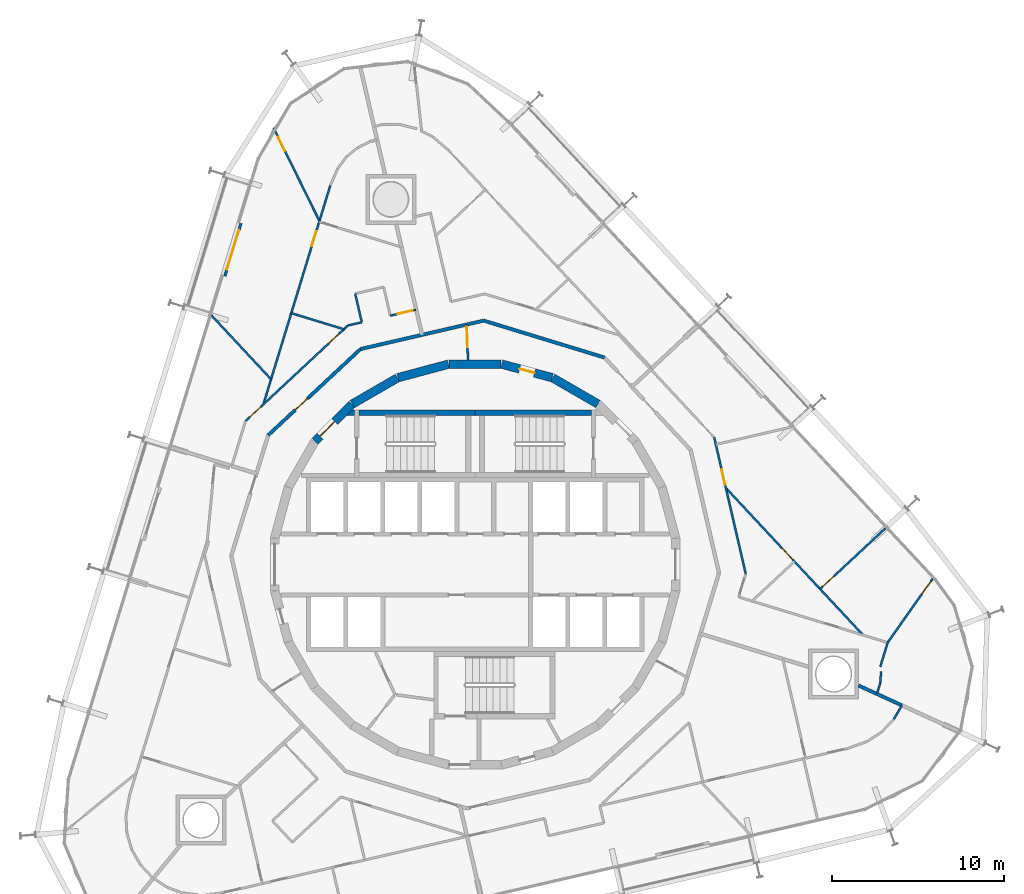
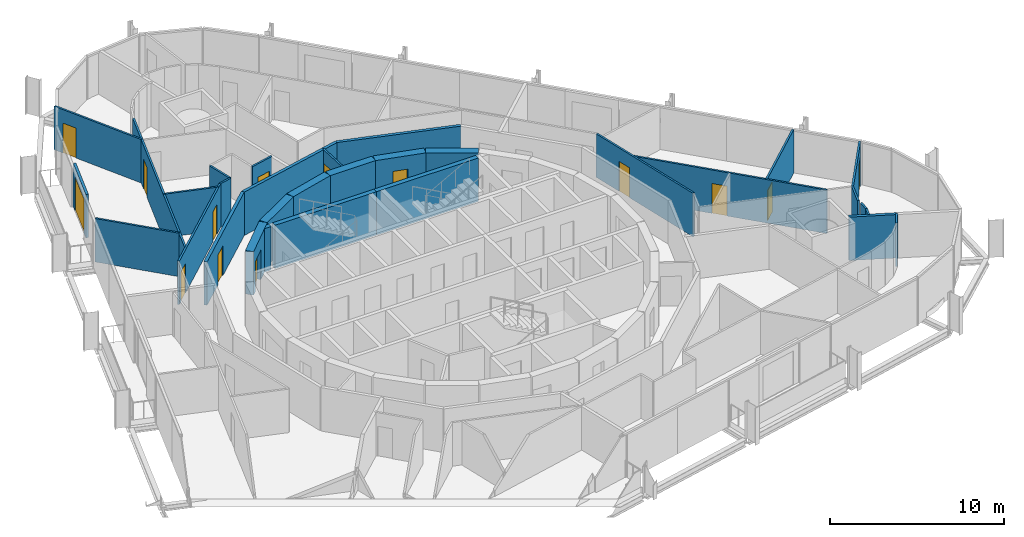
# One storey, part 15 of 18: 31 walls, 14 doors, 14 openings.
"""IFC4 building model written with IfcOpenShell, lengths in metres."""

from ifc_helpers import new_model, si_unit, direction, frame, frame_2d, origin, place, context, subcontext, project, spatial, polyline, rectangle, outline, extrude, material, layer, layer_set, type_object, element, fill, save


model = new_model("IFC4")

# Units and contexts
model_context = context("Model", 3, precision=1e-05, world=origin(), true_north=direction((0.0, 1.0)))
body_context = subcontext(model_context, "Body", "Model", "MODEL_VIEW")
ifc_project = project(units=[si_unit("LENGTHUNIT", "METRE"), si_unit("AREAUNIT", "SQUARE_METRE"), si_unit("VOLUMEUNIT", "CUBIC_METRE"), si_unit("PLANEANGLEUNIT", "RADIAN"), si_unit("MASSUNIT", "GRAM", prefix="KILO")], contexts=[model_context])

# Site, building, storey
site_placement = place(None, origin())
site = spatial("IfcSite", under=ifc_project, at=site_placement, CompositionType="ELEMENT")
building_placement = place(site_placement, origin())
building = spatial("IfcBuilding", under=site, at=building_placement, Name="Spindle Arch Residences", CompositionType="ELEMENT")
storey_placement = place(building_placement, frame((0.0, 0.0, 141.39990234375)))
storey = spatial("IfcBuildingStorey", under=building, at=storey_placement, Name="L35", CompositionType="ELEMENT", Elevation=141.39990234375)

# Wall
ifc_material_1 = material(Name="Concrete C50/60", Category="concrete")
ifc_layer_1 = layer(ifc_material_1, 0.5)
ifc_layer_set_1 = layer_set([ifc_layer_1], Name="Core outline wall 500")
wall_type_1 = type_object("IfcWallType", Name="Core outline wall 500", PredefinedType="SHEAR", material=ifc_layer_set_1)
wall_1_placement = place(storey_placement, frame((7.13671875, 9.32861328125, 0.0), z_axis=(0.0, 0.0, 1.0), x_axis=(-0.865975092491, 0.500087131594, 0.0)))
element("IfcWall", 1, at=wall_1_placement, inside=storey, type_object=wall_type_1, Name="Core outline wall 10", PredefinedType="SHEAR", context=body_context, shape_type="SweptSolid", body=[
    extrude(rectangle(XDim=3.03271484375, YDim=0.5, at=frame_2d((1.516357421875, 0.0))), origin(), (0.0, 0.0, 1.0), 3.050048828125),
])

# Wall, opening, door
wall_2_placement = place(storey_placement, frame((4.479248046875, 10.858154296875, 0.0), z_axis=(0.0, 0.0, 1.0), x_axis=(-0.965948410781, 0.258734743916, 0.0)))
wall_2 = element("IfcWall", 2, at=wall_2_placement, inside=storey, type_object=wall_type_1, Name="Core outline wall 11", PredefinedType="SHEAR", context=body_context, shape_type="SweptSolid", body=[
    extrude(rectangle(XDim=3.03271484375, YDim=0.5, at=frame_2d((1.516357421875, 0.0))), origin(), (0.0, 0.0, 1.0), 3.050048828125),
])
opening_1_placement = place(wall_2_placement, frame((1.066162109375, 0.0, 0.0)))
opening_1 = element("IfcOpeningElement", 3, at=opening_1_placement, cuts=wall_2, Name="Opening R3C0-WD10", PredefinedType="OPENING", context=body_context, shape_type="SweptSolid", body=[
    extrude(rectangle(XDim=0.89990234375, YDim=2.10009765625, at=frame_2d((0.449951171875, 1.050048828125))), frame((0.0, 0.260009765625, 0.0), z_axis=(0.0, -1.0, 0.0), x_axis=(1.0, 0.0, 0.0)), (0.0, 0.0, 1.0), 0.52001953125),
])
ifc_material_2 = material(Name="Steel, fire-resisting door", Category="steel")
door_type_1 = type_object("IfcDoorType", Name="Service room door 900x2100", OperationType="SINGLE_SWING_LEFT", PredefinedType="DOOR", material=ifc_material_2)
door_1_placement = place(opening_1_placement, origin())
door_1 = element("IfcDoor", 4, at=door_1_placement, inside=storey, type_object=door_type_1, Name="Service room door R3C0-WD10", OperationType="SINGLE_SWING_LEFT", OverallHeight=2.10009765625, OverallWidth=0.89990234375, PredefinedType="DOOR", context=body_context, shape_type="SweptSolid", body=[
    extrude(rectangle(XDim=0.89990234375, YDim=2.10009765625, at=frame_2d((0.449951171875, 1.050048828125))), frame((0.0, 0.02490234375, 0.0), z_axis=(0.0, -1.0, 0.0), x_axis=(1.0, 0.0, 0.0)), (0.0, 0.0, 1.0), 0.050048828125),
])
fill(opening_1, door_1)

# Walls
for number, where, z_axis, x_axis, name in (
    (5, (1.516357421875, 11.647216796875, 0.0), (0.0, 0.0, 1.0), (-1.0, 0.0, 0.0), "Core outline wall 12"),
    (6, (-1.5498046875, 11.642822265625, 0.0), (0.0, 0.0, 1.0), (-0.965948410781, -0.258734743916, 0.0), "Core outline wall 13"),
    (7, (-4.510498046875, 10.84521484375, 0.0), (0.0, 0.0, 1.0), (-0.865975092491, -0.500087131594, 0.0), "Core outline wall 14"),
):
    element("IfcWall", number, at=place(storey_placement, frame(where, z_axis=z_axis, x_axis=x_axis)), inside=storey, type_object=wall_type_1, Name=name, PredefinedType="SHEAR", context=body_context, shape_type="SweptSolid", body=[
        extrude(rectangle(XDim=3.03271484375, YDim=0.5, at=frame_2d((1.516357421875, 0.0))), origin(), (0.0, 0.0, 1.0), 3.050048828125),
    ])

# Wall, opening, door
wall_3_placement = place(storey_placement, frame((-7.163818359375, 9.30810546875, 0.0), z_axis=(0.0, 0.0, 1.0), x_axis=(-0.707106781187, -0.707106781187, 0.0)))
wall_3 = element("IfcWall", 8, at=wall_3_placement, inside=storey, type_object=wall_type_1, Name="Core outline wall 15", PredefinedType="SHEAR", context=body_context, shape_type="SweptSolid", body=[
    extrude(rectangle(XDim=3.032470703125, YDim=0.5, at=frame_2d((1.51611328125, 0.0))), origin(), (0.0, 0.0, 1.0), 3.050048828125),
])
opening_2_placement = place(wall_3_placement, frame((1.416259765625, 0.0, 0.0)))
opening_2 = element("IfcOpeningElement", 9, at=opening_2_placement, cuts=wall_3, Name="Opening R3C0-AD02", PredefinedType="OPENING", context=body_context, shape_type="SweptSolid", body=[
    extrude(rectangle(XDim=1.199951171875, YDim=2.10009765625, at=frame_2d((0.60009765625, 1.050048828125))), frame((0.0, 0.260009765625, 0.0), z_axis=(0.0, -1.0, 0.0), x_axis=(1.0, 0.0, 0.0)), (0.0, 0.0, 1.0), 0.52001953125),
])
ifc_material_3 = material(Name="Steel, fire-resisting door", Category="steel")
door_type_2 = type_object("IfcDoorType", Name="Stair airlock door 1200x2100", OperationType="SINGLE_SWING_LEFT", PredefinedType="DOOR", material=ifc_material_3)
door_2_placement = place(opening_2_placement, origin())
door_2 = element("IfcDoor", 10, at=door_2_placement, inside=storey, type_object=door_type_2, Name="Stair airlock door R3C0-AD02", OperationType="SINGLE_SWING_RIGHT", OverallHeight=2.10009765625, OverallWidth=1.199951171875, PredefinedType="DOOR", context=body_context, shape_type="SweptSolid", body=[
    extrude(rectangle(XDim=1.199951171875, YDim=2.10009765625, at=frame_2d((0.60009765625, 1.050048828125))), frame((0.0, 0.02490234375, 0.0), z_axis=(0.0, -1.0, 0.0), x_axis=(1.0, 0.0, 0.0)), (0.0, 0.0, 1.0), 0.050048828125),
])
fill(opening_2, door_2)

ifc_material_4 = material(Name="Plasterboard on steel studs", Category="steel")
ifc_layer_2 = layer(ifc_material_4, 0.1201171875)
ifc_layer_set_2 = layer_set([ifc_layer_2], Name="Corridor division wall 120")
wall_type_2 = type_object("IfcWallType", Name="Corridor division wall 120", PredefinedType="PARTITIONING", material=ifc_layer_set_2)
wall_4_placement = place(storey_placement, frame((-0.487060546875, 13.947998046875, 0.0), z_axis=(0.0, 0.0, 1.0), x_axis=(0.034859752231, -0.999392214135, 0.0)))
wall_4 = element("IfcWall", 11, at=wall_4_placement, inside=storey, type_object=wall_type_2, Name="Corridor division wall R3C0-W001", PredefinedType="PARTITIONING", context=body_context, shape_type="SweptSolid", body=[
    extrude(rectangle(XDim=2.052001953125, YDim=0.1201171875, at=frame_2d((1.02587890625, 0.0))), origin(), (0.0, 0.0, 1.0), 3.050048828125),
])
opening_3_placement = place(wall_4_placement, frame((0.125, 0.0, 0.0)))
opening_3 = element("IfcOpeningElement", 12, at=opening_3_placement, cuts=wall_4, Name="Opening R3C0-CD01", PredefinedType="OPENING", context=body_context, shape_type="SweptSolid", body=[
    extrude(rectangle(XDim=1.199951171875, YDim=2.10009765625, at=frame_2d((0.60009765625, 1.050048828125))), frame((0.0, 0.070068359375, 0.0), z_axis=(0.0, -1.0, 0.0), x_axis=(1.0, 0.0, 0.0)), (0.0, 0.0, 1.0), 0.14013671875),
])
ifc_material_5 = material(Name="Steel, fire-resisting door", Category="steel")
door_type_3 = type_object("IfcDoorType", Name="Corridor division door 1200x2100", OperationType="NOTDEFINED", PredefinedType="DOOR", material=ifc_material_5)
door_3_placement = place(opening_3_placement, origin())
door_3 = element("IfcDoor", 13, at=door_3_placement, inside=storey, type_object=door_type_3, Name="Corridor division door R3C0-CD01", OperationType="DOUBLE_DOOR_SINGLE_SWING", OverallHeight=2.10009765625, OverallWidth=1.199951171875, PredefinedType="DOOR", context=body_context, shape_type="SweptSolid", body=[
    extrude(rectangle(XDim=1.199951171875, YDim=2.10009765625, at=frame_2d((0.60009765625, 1.050048828125))), frame((0.0, 0.02490234375, 0.0), z_axis=(0.0, -1.0, 0.0), x_axis=(1.0, 0.0, 0.0)), (0.0, 0.0, 1.0), 0.050048828125),
])
fill(opening_3, door_3)

# Walls
ifc_material_6 = material(Name="Calcium silicate block, plastered")
ifc_layer_3 = layer(ifc_material_6, 0.199951171875)
ifc_layer_set_3 = layer_set([ifc_layer_3], Name="Corridor wall 200")
wall_type_3 = type_object("IfcWallType", Name="Corridor wall 200", PredefinedType="STANDARD", material=ifc_layer_set_3)
wall_5_placement = place(storey_placement, frame((7.51611328125, 12.028076171875, 0.0), z_axis=(0.0, 0.0, 1.0), x_axis=(-0.956306642771, 0.292365533182, 0.0)))
element("IfcWall", 14, at=wall_5_placement, inside=storey, type_object=wall_type_3, Name="Corridor wall R3C0-W007", PredefinedType="STANDARD", context=body_context, shape_type="SweptSolid", body=[
    extrude(rectangle(XDim=7.341796875, YDim=0.199951171875, at=frame_2d((3.6708984375, 0.0))), origin(), (0.0, 0.0, 1.0), 3.050048828125),
])
wall_6_placement = place(storey_placement, frame((0.4951171875, 14.174560546875, 0.0), z_axis=(0.0, 0.0, 1.0), x_axis=(-0.974376622151, -0.224922649383, 0.0)))
element("IfcWall", 15, at=wall_6_placement, inside=storey, type_object=wall_type_3, Name="Corridor wall R3C0-W008", PredefinedType="STANDARD", context=body_context, shape_type="SweptSolid", body=[
    extrude(rectangle(XDim=7.342041015625, YDim=0.199951171875, at=frame_2d((3.6708984375, 0.0))), origin(), (0.0, 0.0, 1.0), 3.050048828125),
])

# Wall, opening, door
wall_7_placement = place(storey_placement, frame((-6.65869140625, 12.523193359375, 0.0), z_axis=(0.0, 0.0, 1.0), x_axis=(-0.731350455479, -0.682001841105, 0.0)))
wall_7 = element("IfcWall", 16, at=wall_7_placement, inside=storey, type_object=wall_type_3, Name="Corridor wall R3C0-W009", PredefinedType="STANDARD", context=body_context, shape_type="SweptSolid", body=[
    extrude(rectangle(XDim=7.341796875, YDim=0.199951171875, at=frame_2d((3.6708984375, 0.0))), origin(), (0.0, 0.0, 1.0), 3.050048828125),
])
opening_4_placement = place(wall_7_placement, frame((4.199951171875, 0.0, 0.0)))
opening_4 = element("IfcOpeningElement", 17, at=opening_4_placement, cuts=wall_7, Name="Opening R3C0-FD03", PredefinedType="OPENING", context=body_context, shape_type="SweptSolid", body=[
    extrude(rectangle(XDim=1.0, YDim=2.10009765625, at=frame_2d((0.5, 1.050048828125))), frame((0.0, 0.10986328125, 0.0), z_axis=(0.0, -1.0, 0.0), x_axis=(1.0, 0.0, 0.0)), (0.0, 0.0, 1.0), 0.219970703125),
])
ifc_material_7 = material(Name="Timber, fire-resisting door set", Category="wood")
door_type_4 = type_object("IfcDoorType", Name="Flat entrance door 1000x2100", OperationType="NOTDEFINED", PredefinedType="DOOR", material=ifc_material_7)
door_4_placement = place(opening_4_placement, origin())
door_4 = element("IfcDoor", 18, at=door_4_placement, inside=storey, type_object=door_type_4, Name="Flat entrance door R3C0-FD03", OperationType="SINGLE_SWING_LEFT", OverallHeight=2.10009765625, OverallWidth=1.0, PredefinedType="DOOR", context=body_context, shape_type="SweptSolid", body=[
    extrude(rectangle(XDim=1.0, YDim=2.10009765625, at=frame_2d((0.5, 1.050048828125))), frame((0.0, 0.02490234375, 0.0), z_axis=(0.0, -1.0, 0.0), x_axis=(1.0, 0.0, 0.0)), (0.0, 0.0, 1.0), 0.050048828125),
])
fill(opening_4, door_4)

ifc_material_8 = material(Name="Plasterboard on steel studs", Category="steel")
ifc_layer_4 = layer(ifc_material_8, 0.1201171875)
ifc_layer_set_4 = layer_set([ifc_layer_4], Name="Flat partition 120")
wall_type_4 = type_object("IfcWallType", Name="Flat partition 120", PredefinedType="PARTITIONING", material=ifc_layer_set_4)
wall_8_placement = place(storey_placement, frame((15.7265625, -0.54931640625, 0.0), z_axis=(0.0, 0.0, 1.0), x_axis=(-0.22493611855, 0.974373512864, 0.0)))
wall_8 = element("IfcWall", 19, at=wall_8_placement, inside=storey, type_object=wall_type_4, Name="Flat partition R3C0-W033", PredefinedType="PARTITIONING", context=body_context, shape_type="SweptSolid", body=[
    extrude(rectangle(XDim=8.145751953125, YDim=0.1201171875, at=frame_2d((4.07275390625, 0.0))), origin(), (0.0, 0.0, 1.0), 3.050048828125),
])
opening_5_placement = place(wall_8_placement, frame((5.327392578125, 0.0, 0.0)))
opening_5 = element("IfcOpeningElement", 20, at=opening_5_placement, cuts=wall_8, Name="Opening R3C0-ID02", PredefinedType="OPENING", context=body_context, shape_type="SweptSolid", body=[
    extrude(rectangle(XDim=0.89990234375, YDim=2.10009765625, at=frame_2d((0.449951171875, 1.050048828125))), frame((0.0, 0.070068359375, 0.0), z_axis=(0.0, -1.0, 0.0), x_axis=(1.0, 0.0, 0.0)), (0.0, 0.0, 1.0), 0.14013671875),
])
ifc_material_9 = material(Name="Timber door set", Category="wood")
door_type_5 = type_object("IfcDoorType", Name="Room door 900x2100", OperationType="NOTDEFINED", PredefinedType="DOOR", material=ifc_material_9)
door_5_placement = place(opening_5_placement, origin())
door_5 = element("IfcDoor", 21, at=door_5_placement, inside=storey, type_object=door_type_5, Name="Room door R3C0-ID02", OperationType="SINGLE_SWING_LEFT", OverallHeight=2.10009765625, OverallWidth=0.89990234375, PredefinedType="DOOR", context=body_context, shape_type="SweptSolid", body=[
    extrude(rectangle(XDim=0.89990234375, YDim=2.10009765625, at=frame_2d((0.449951171875, 1.050048828125))), frame((0.0, 0.02490234375, 0.0), z_axis=(0.0, -1.0, 0.0), x_axis=(1.0, 0.0, 0.0)), (0.0, 0.0, 1.0), 0.050048828125),
])
fill(opening_5, door_5)

# Walls
for number, where, z_axis, x_axis, name in (
    (22, (23.362060546875, -7.47802734375, 0.0), (0.0, 0.0, 1.0), (0.292508434016, 0.956262942934, 0.0), "Flat partition R3C0-W035"),
    (23, (23.5498046875, -6.8642578125, 0.0), (0.0, 0.0, 1.0), (0.063893570381, 0.997956718332, 0.0), "Flat partition R3C0-W036"),
):
    element("IfcWall", number, at=place(storey_placement, frame(where, z_axis=z_axis, x_axis=x_axis)), inside=storey, type_object=wall_type_4, Name=name, PredefinedType="PARTITIONING", context=body_context, shape_type="SweptSolid", body=[
        extrude(rectangle(XDim=0.641845703125, YDim=0.1201171875, at=frame_2d((0.32080078125, 0.0))), origin(), (0.0, 0.0, 1.0), 3.050048828125),
    ])
wall_9_placement = place(storey_placement, frame((23.543701171875, -5.947509765625, 0.0), z_axis=(0.0, 0.0, 1.0), x_axis=(0.292386782861, 0.956300145983, 0.0)))
element("IfcWall", 24, at=wall_9_placement, inside=storey, type_object=wall_type_4, Name="Flat partition R3C0-W037", PredefinedType="PARTITIONING", context=body_context, shape_type="SweptSolid", body=[
    extrude(rectangle(XDim=1.474609375, YDim=0.1201171875, at=frame_2d((0.7373046875, 0.0))), origin(), (0.0, 0.0, 1.0), 3.050048828125),
])

# Wall, opening, door
wall_10_placement = place(storey_placement, frame((22.542724609375, -4.099609375, 0.0), z_axis=(0.0, 0.0, 1.0), x_axis=(-0.681980976228, 0.731369911921, 0.0)))
wall_10 = element("IfcWall", 25, at=wall_10_placement, inside=storey, type_object=wall_type_4, Name="Flat partition R3C0-W038", PredefinedType="PARTITIONING", context=body_context, shape_type="SweptSolid", body=[
    extrude(rectangle(XDim=11.685791015625, YDim=0.1201171875, at=frame_2d((5.8427734375, 0.0))), origin(), (0.0, 0.0, 1.0), 3.050048828125),
])
opening_6_placement = place(wall_10_placement, frame((6.002685546875, 0.0, 0.0)))
opening_6 = element("IfcOpeningElement", 26, at=opening_6_placement, cuts=wall_10, Name="Opening R3C0-ID06", PredefinedType="OPENING", context=body_context, shape_type="SweptSolid", body=[
    extrude(rectangle(XDim=0.89990234375, YDim=2.10009765625, at=frame_2d((0.449951171875, 1.050048828125))), frame((0.0, 0.070068359375, 0.0), z_axis=(0.0, -1.0, 0.0), x_axis=(1.0, 0.0, 0.0)), (0.0, 0.0, 1.0), 0.14013671875),
])
door_6_placement = place(opening_6_placement, origin())
door_6 = element("IfcDoor", 27, at=door_6_placement, inside=storey, type_object=door_type_5, Name="Room door R3C0-ID06", OperationType="SINGLE_SWING_RIGHT", OverallHeight=2.10009765625, OverallWidth=0.89990234375, PredefinedType="DOOR", context=body_context, shape_type="SweptSolid", body=[
    extrude(rectangle(XDim=0.89990234375, YDim=2.10009765625, at=frame_2d((0.449951171875, 1.050048828125))), frame((0.0, 0.02490234375, 0.0), z_axis=(0.0, -1.0, 0.0), x_axis=(1.0, 0.0, 0.0)), (0.0, 0.0, 1.0), 0.050048828125),
])
fill(opening_6, door_6)

wall_11_placement = place(storey_placement, frame((20.052001953125, -1.428466796875, 0.0), z_axis=(0.0, 0.0, 1.0), x_axis=(0.73134872518, 0.682003696601, 0.0)))
wall_11 = element("IfcWall", 28, at=wall_11_placement, inside=storey, type_object=wall_type_4, Name="Flat partition R3C0-W041", PredefinedType="PARTITIONING", context=body_context, shape_type="SweptSolid", body=[
    extrude(rectangle(XDim=5.199951171875, YDim=0.1201171875, at=frame_2d((2.60009765625, 0.0))), origin(), (0.0, 0.0, 1.0), 3.050048828125),
])
opening_7_placement = place(wall_11_placement, frame((0.199951171875, 0.0, 0.0)))
opening_7 = element("IfcOpeningElement", 29, at=opening_7_placement, cuts=wall_11, Name="Opening R3C0-ID04", PredefinedType="OPENING", context=body_context, shape_type="SweptSolid", body=[
    extrude(rectangle(XDim=0.89990234375, YDim=2.10009765625, at=frame_2d((0.449951171875, 1.050048828125))), frame((0.0, 0.070068359375, 0.0), z_axis=(0.0, -1.0, 0.0), x_axis=(1.0, 0.0, 0.0)), (0.0, 0.0, 1.0), 0.14013671875),
])
door_7_placement = place(opening_7_placement, origin())
door_7 = element("IfcDoor", 30, at=door_7_placement, inside=storey, type_object=door_type_5, Name="Room door R3C0-ID04", OperationType="SINGLE_SWING_LEFT", OverallHeight=2.10009765625, OverallWidth=0.89990234375, PredefinedType="DOOR", context=body_context, shape_type="SweptSolid", body=[
    extrude(rectangle(XDim=0.89990234375, YDim=2.10009765625, at=frame_2d((0.449951171875, 1.050048828125))), frame((0.0, 0.02490234375, 0.0), z_axis=(0.0, -1.0, 0.0), x_axis=(1.0, 0.0, 0.0)), (0.0, 0.0, 1.0), 0.050048828125),
])
fill(opening_7, door_7)

wall_12_placement = place(storey_placement, frame((26.593017578125, -0.818115234375, 0.0), z_axis=(0.0, 0.0, 1.0), x_axis=(-0.575629018128, -0.817710971853, 0.0)))
wall_12 = element("IfcWall", 31, at=wall_12_placement, inside=storey, type_object=wall_type_4, Name="Flat partition R3C0-W042", PredefinedType="PARTITIONING", context=body_context, shape_type="SweptSolid", body=[
    extrude(rectangle(XDim=4.54833984375, YDim=0.1201171875, at=frame_2d((2.274169921875, 0.0))), origin(), (0.0, 0.0, 1.0), 3.050048828125),
])
opening_8_placement = place(wall_12_placement, frame((0.199951171875, 0.0, 0.0)))
opening_8 = element("IfcOpeningElement", 32, at=opening_8_placement, cuts=wall_12, Name="Opening R3C0-ID05", PredefinedType="OPENING", context=body_context, shape_type="SweptSolid", body=[
    extrude(rectangle(XDim=0.89990234375, YDim=2.10009765625, at=frame_2d((0.449951171875, 1.050048828125))), frame((0.0, 0.070068359375, 0.0), z_axis=(0.0, -1.0, 0.0), x_axis=(1.0, 0.0, 0.0)), (0.0, 0.0, 1.0), 0.14013671875),
])
door_8_placement = place(opening_8_placement, origin())
door_8 = element("IfcDoor", 33, at=door_8_placement, inside=storey, type_object=door_type_5, Name="Room door R3C0-ID05", OperationType="SINGLE_SWING_LEFT", OverallHeight=2.10009765625, OverallWidth=0.89990234375, PredefinedType="DOOR", context=body_context, shape_type="SweptSolid", body=[
    extrude(rectangle(XDim=0.89990234375, YDim=2.10009765625, at=frame_2d((0.449951171875, 1.050048828125))), frame((0.0, 0.02490234375, 0.0), z_axis=(0.0, -1.0, 0.0), x_axis=(1.0, 0.0, 0.0)), (0.0, 0.0, 1.0), 0.050048828125),
])
fill(opening_8, door_8)

wall_13_placement = place(storey_placement, frame((-3.439697265625, 14.8056640625, 0.0), z_axis=(0.0, 0.0, 1.0), x_axis=(-0.974356244071, -0.225010910046, 0.0)))
wall_13 = element("IfcWall", 34, at=wall_13_placement, inside=storey, type_object=wall_type_4, Name="Flat partition R3C0-W057", PredefinedType="PARTITIONING", context=body_context, shape_type="SweptSolid", body=[
    extrude(rectangle(XDim=1.531005859375, YDim=0.1201171875, at=frame_2d((0.765625, 0.0))), origin(), (0.0, 0.0, 1.0), 3.050048828125),
])
opening_9_placement = place(wall_13_placement, frame((0.199951171875, 0.0, 0.0)))
opening_9 = element("IfcOpeningElement", 35, at=opening_9_placement, cuts=wall_13, Name="Opening R3C0-ID13", PredefinedType="OPENING", context=body_context, shape_type="SweptSolid", body=[
    extrude(rectangle(XDim=0.89990234375, YDim=2.10009765625, at=frame_2d((0.449951171875, 1.050048828125))), frame((0.0, 0.070068359375, 0.0), z_axis=(0.0, -1.0, 0.0), x_axis=(1.0, 0.0, 0.0)), (0.0, 0.0, 1.0), 0.14013671875),
])
door_9_placement = place(opening_9_placement, origin())
door_9 = element("IfcDoor", 36, at=door_9_placement, inside=storey, type_object=door_type_5, Name="Room door R3C0-ID13", OperationType="SINGLE_SWING_LEFT", OverallHeight=2.10009765625, OverallWidth=0.89990234375, PredefinedType="DOOR", context=body_context, shape_type="SweptSolid", body=[
    extrude(rectangle(XDim=0.89990234375, YDim=2.10009765625, at=frame_2d((0.449951171875, 1.050048828125))), frame((0.0, 0.02490234375, 0.0), z_axis=(0.0, -1.0, 0.0), x_axis=(1.0, 0.0, 0.0)), (0.0, 0.0, 1.0), 0.050048828125),
])
fill(opening_9, door_9)

# Walls
wall_14_placement = place(storey_placement, frame((-6.971435546875, 15.740234375, 0.0), z_axis=(0.0, 0.0, 1.0), x_axis=(0.224943164347, -0.974371886301, 0.0)))
element("IfcWall", 37, at=wall_14_placement, inside=storey, type_object=wall_type_4, Name="Flat partition R3C0-W060", PredefinedType="PARTITIONING", context=body_context, shape_type="SweptSolid", body=[
    extrude(rectangle(XDim=1.705078125, YDim=0.1201171875, at=frame_2d((0.8525390625, 0.0))), origin(), (0.0, 0.0, 1.0), 3.050048828125),
])
wall_15_placement = place(storey_placement, frame((-6.587890625, 14.078857421875, 0.0), z_axis=(0.0, 0.0, 1.0), x_axis=(-0.974391195695, -0.224859506699, 0.0)))
element("IfcWall", 38, at=wall_15_placement, inside=storey, type_object=wall_type_4, Name="Flat partition R3C0-W061", PredefinedType="PARTITIONING", context=body_context, shape_type="SweptSolid", body=[
    extrude(rectangle(XDim=0.82080078125, YDim=0.1201171875, at=frame_2d((0.410400390625, 0.0))), origin(), (0.0, 0.0, 1.0), 3.050048828125),
])

# Wall, openings, doors
wall_16_placement = place(storey_placement, frame((-7.3876953125, 13.894287109375, 0.0), z_axis=(0.0, 0.0, 1.0), x_axis=(-0.731357186721, -0.681994622729, 0.0)))
wall_16 = element("IfcWall", 39, at=wall_16_placement, inside=storey, type_object=wall_type_4, Name="Flat partition R3C0-W062", PredefinedType="PARTITIONING", context=body_context, shape_type="SweptSolid", body=[
    extrude(rectangle(XDim=8.145751953125, YDim=0.1201171875, at=frame_2d((4.07275390625, 0.0))), origin(), (0.0, 0.0, 1.0), 3.050048828125),
])
opening_10_placement = place(wall_16_placement, frame((0.725341796875, 0.0, 0.0)))
opening_10 = element("IfcOpeningElement", 40, at=opening_10_placement, cuts=wall_16, Name="Opening R3C0-BD03", PredefinedType="OPENING", context=body_context, shape_type="SweptSolid", body=[
    extrude(rectangle(XDim=0.800048828125, YDim=2.10009765625, at=frame_2d((0.39990234375, 1.050048828125))), frame((0.0, 0.070068359375, 0.0), z_axis=(0.0, -1.0, 0.0), x_axis=(1.0, 0.0, 0.0)), (0.0, 0.0, 1.0), 0.14013671875),
])
opening_11_placement = place(wall_16_placement, frame((6.927490234375, 0.0, 0.0)))
opening_11 = element("IfcOpeningElement", 41, at=opening_11_placement, cuts=wall_16, Name="Opening R3C0-ID14", PredefinedType="OPENING", context=body_context, shape_type="SweptSolid", body=[
    extrude(rectangle(XDim=0.89990234375, YDim=2.10009765625, at=frame_2d((0.449951171875, 1.050048828125))), frame((0.0, 0.070068359375, 0.0), z_axis=(0.0, -1.0, 0.0), x_axis=(1.0, 0.0, 0.0)), (0.0, 0.0, 1.0), 0.14013671875),
])
ifc_material_10 = material(Name="Timber door set", Category="wood")
door_type_6 = type_object("IfcDoorType", Name="Bathroom door 800x2100", OperationType="NOTDEFINED", PredefinedType="DOOR", material=ifc_material_10)
door_10_placement = place(opening_10_placement, origin())
door_10 = element("IfcDoor", 42, at=door_10_placement, inside=storey, type_object=door_type_6, Name="Bathroom door R3C0-BD03", OperationType="SINGLE_SWING_LEFT", OverallHeight=2.10009765625, OverallWidth=0.800048828125, PredefinedType="DOOR", context=body_context, shape_type="SweptSolid", body=[
    extrude(rectangle(XDim=0.800048828125, YDim=2.10009765625, at=frame_2d((0.39990234375, 1.050048828125))), frame((0.0, 0.02490234375, 0.0), z_axis=(0.0, -1.0, 0.0), x_axis=(1.0, 0.0, 0.0)), (0.0, 0.0, 1.0), 0.050048828125),
])
fill(opening_10, door_10)
door_11_placement = place(opening_11_placement, origin())
door_11 = element("IfcDoor", 43, at=door_11_placement, inside=storey, type_object=door_type_5, Name="Room door R3C0-ID14", OperationType="SINGLE_SWING_LEFT", OverallHeight=2.10009765625, OverallWidth=0.89990234375, PredefinedType="DOOR", context=body_context, shape_type="SweptSolid", body=[
    extrude(rectangle(XDim=0.89990234375, YDim=2.10009765625, at=frame_2d((0.449951171875, 1.050048828125))), frame((0.0, 0.02490234375, 0.0), z_axis=(0.0, -1.0, 0.0), x_axis=(1.0, 0.0, 0.0)), (0.0, 0.0, 1.0), 0.050048828125),
])
fill(opening_11, door_11)

# Wall, opening, door
wall_17_placement = place(storey_placement, frame((-8.41748046875, 22.031005859375, 0.0), z_axis=(0.0, 0.0, 1.0), x_axis=(-0.292371891841, -0.956304698755, 0.0)))
wall_17 = element("IfcWall", 44, at=wall_17_placement, inside=storey, type_object=wall_type_4, Name="Flat partition R3C0-W069", PredefinedType="PARTITIONING", context=body_context, shape_type="SweptSolid", body=[
    extrude(rectangle(XDim=13.306396484375, YDim=0.1201171875, at=frame_2d((6.6533203125, 0.0))), origin(), (0.0, 0.0, 1.0), 3.050048828125),
])
opening_12_placement = place(wall_17_placement, frame((2.77734375, 0.0, 0.0)))
opening_12 = element("IfcOpeningElement", 45, at=opening_12_placement, cuts=wall_17, Name="Opening R3C0-ID16", PredefinedType="OPENING", context=body_context, shape_type="SweptSolid", body=[
    extrude(rectangle(XDim=0.89990234375, YDim=2.10009765625, at=frame_2d((0.449951171875, 1.050048828125))), frame((0.0, 0.070068359375, 0.0), z_axis=(0.0, -1.0, 0.0), x_axis=(1.0, 0.0, 0.0)), (0.0, 0.0, 1.0), 0.14013671875),
])
door_12_placement = place(opening_12_placement, origin())
door_12 = element("IfcDoor", 46, at=door_12_placement, inside=storey, type_object=door_type_5, Name="Room door R3C0-ID16", OperationType="SINGLE_SWING_LEFT", OverallHeight=2.10009765625, OverallWidth=0.89990234375, PredefinedType="DOOR", context=body_context, shape_type="SweptSolid", body=[
    extrude(rectangle(XDim=0.89990234375, YDim=2.10009765625, at=frame_2d((0.449951171875, 1.050048828125))), frame((0.0, 0.02490234375, 0.0), z_axis=(0.0, -1.0, 0.0), x_axis=(1.0, 0.0, 0.0)), (0.0, 0.0, 1.0), 0.050048828125),
])
fill(opening_12, door_12)

wall_18_placement = place(storey_placement, frame((-11.71630859375, 25.381103515625, 0.0), z_axis=(0.0, 0.0, 1.0), x_axis=(0.441576881221, -0.897223415862, 0.0)))
wall_18 = element("IfcWall", 47, at=wall_18_placement, inside=storey, type_object=wall_type_4, Name="Flat partition R3C0-W071", PredefinedType="PARTITIONING", context=body_context, shape_type="SweptSolid", body=[
    extrude(rectangle(XDim=6.03857421875, YDim=0.1201171875, at=frame_2d((3.019287109375, 0.0))), origin(), (0.0, 0.0, 1.0), 3.050048828125),
])
opening_13_placement = place(wall_18_placement, frame((0.60009765625, 0.0, 0.0)))
opening_13 = element("IfcOpeningElement", 48, at=opening_13_placement, cuts=wall_18, Name="Opening R3C0-ID17", PredefinedType="OPENING", context=body_context, shape_type="SweptSolid", body=[
    extrude(rectangle(XDim=0.89990234375, YDim=2.10009765625, at=frame_2d((0.449951171875, 1.050048828125))), frame((0.0, 0.070068359375, 0.0), z_axis=(0.0, -1.0, 0.0), x_axis=(1.0, 0.0, 0.0)), (0.0, 0.0, 1.0), 0.14013671875),
])
door_13_placement = place(opening_13_placement, origin())
door_13 = element("IfcDoor", 49, at=door_13_placement, inside=storey, type_object=door_type_5, Name="Room door R3C0-ID17", OperationType="SINGLE_SWING_LEFT", OverallHeight=2.10009765625, OverallWidth=0.89990234375, PredefinedType="DOOR", context=body_context, shape_type="SweptSolid", body=[
    extrude(rectangle(XDim=0.89990234375, YDim=2.10009765625, at=frame_2d((0.449951171875, 1.050048828125))), frame((0.0, 0.02490234375, 0.0), z_axis=(0.0, -1.0, 0.0), x_axis=(1.0, 0.0, 0.0)), (0.0, 0.0, 1.0), 0.050048828125),
])
fill(opening_13, door_13)

# Walls
wall_19_placement = place(storey_placement, frame((-10.686767578125, 14.6083984375, 0.0), z_axis=(0.0, 0.0, 1.0), x_axis=(0.956295309419, -0.292402601189, 0.0)))
element("IfcWall", 50, at=wall_19_placement, inside=storey, type_object=wall_type_4, Name="Flat partition R3C0-W072", PredefinedType="PARTITIONING", context=body_context, shape_type="SweptSolid", body=[
    extrude(rectangle(XDim=3.201171875, YDim=0.1201171875, at=frame_2d((1.6005859375, 0.0))), origin(), (0.0, 0.0, 1.0), 3.050048828125),
])
wall_20_placement = place(storey_placement, frame((-15.32666015625, 14.481201171875, 0.0), z_axis=(0.0, 0.0, 1.0), x_axis=(0.68197575128, -0.731374783997, 0.0)))
element("IfcWall", 51, at=wall_20_placement, inside=storey, type_object=wall_type_4, Name="Flat partition R3C0-W073", PredefinedType="PARTITIONING", context=body_context, shape_type="SweptSolid", body=[
    extrude(rectangle(XDim=5.08056640625, YDim=0.1201171875, at=frame_2d((2.540283203125, 0.0))), origin(), (0.0, 0.0, 1.0), 3.050048828125),
])
wall_21_placement = place(storey_placement, frame((24.8017578125, -8.18603515625, 0.0), z_axis=(0.0, 0.0, 1.0), x_axis=(-0.505043103481, -0.863094122113, 0.0)))
element("IfcWall", 52, at=wall_21_placement, inside=storey, type_object=wall_type_4, Name="Flat partition R3C0-W111", PredefinedType="PARTITIONING", context=body_context, shape_type="SweptSolid", body=[
    extrude(rectangle(XDim=0.945068359375, YDim=0.1201171875, at=frame_2d((0.47265625, 0.0))), origin(), (0.0, 0.0, 1.0), 3.050048828125),
])
ifc_material_11 = material(Name="Calcium silicate block, plastered")
ifc_layer_5 = layer(ifc_material_11, 0.199951171875)
ifc_layer_set_5 = layer_set([ifc_layer_5], Name="Flat party wall 200")
wall_type_5 = type_object("IfcWallType", Name="Flat party wall 200", PredefinedType="STANDARD", material=ifc_layer_set_5)
wall_22_placement = place(storey_placement, frame((22.280029296875, -7.031982421875, 0.0), z_axis=(0.0, 0.0, 1.0), x_axis=(0.909302252994, -0.416136291016, 0.0)))
element("IfcWall", 53, at=wall_22_placement, inside=storey, type_object=wall_type_5, Name="Flat party wall R3C0-W018", PredefinedType="STANDARD", context=body_context, shape_type="SweptSolid", body=[
    extrude(rectangle(XDim=2.773193359375, YDim=0.199951171875, at=frame_2d((1.38671875, 0.0))), origin(), (0.0, 0.0, 1.0), 3.050048828125),
])

# Wall, opening, door
ifc_material_12 = material(Name="Non-combustible mineral wool insulated aluminium faced external wall (K0)", Category="aluminium")
ifc_layer_6 = layer(ifc_material_12, 0.159912109375)
ifc_layer_set_6 = layer_set([ifc_layer_6], Name="Insulated external wall panel 160")
wall_type_6 = type_object("IfcWallType", Name="Insulated external wall panel 160", PredefinedType="STANDARD", material=ifc_layer_set_6)
wall_23_placement = place(storey_placement, frame((-13.608642578125, 19.8271484375, 0.0), z_axis=(0.0, 0.0, 1.0), x_axis=(-0.292348395078, -0.956311882126, 0.0)))
wall_23 = element("IfcWall", 54, at=wall_23_placement, inside=storey, type_object=wall_type_6, Name="External wall L35 bay 13", PredefinedType="STANDARD", context=body_context, shape_type="SweptSolid", body=[
    extrude(rectangle(XDim=3.2001953125, YDim=0.159912109375, at=frame_2d((1.60009765625, 0.0))), origin(), (0.0, 0.0, 1.0), 3.050048828125),
])
opening_14_placement = place(wall_23_placement, frame((0.39990234375, 0.0, 0.0)))
opening_14 = element("IfcOpeningElement", 55, at=opening_14_placement, cuts=wall_23, Name="Opening BD13", PredefinedType="OPENING", context=body_context, shape_type="SweptSolid", body=[
    extrude(rectangle(XDim=2.39990234375, YDim=2.39990234375, at=frame_2d((1.199951171875, 1.199951171875))), frame((0.0, 0.08984375, 0.0), z_axis=(0.0, -1.0, 0.0), x_axis=(1.0, 0.0, 0.0)), (0.0, 0.0, 1.0), 0.179931640625),
])
ifc_material_13 = material(Name="Bronze aluminium frame, tinted double glazing", Category="aluminium")
door_type_7 = type_object("IfcDoorType", Name="Sliding glazed balcony door 2400x2400", OperationType="DOUBLE_DOOR_SLIDING", PredefinedType="DOOR", material=ifc_material_13)
door_14_placement = place(opening_14_placement, origin())
door_14 = element("IfcDoor", 56, at=door_14_placement, inside=storey, type_object=door_type_7, Name="Balcony door BD13", OperationType="DOUBLE_DOOR_SLIDING", OverallHeight=2.39990234375, OverallWidth=2.39990234375, PredefinedType="DOOR", context=body_context, shape_type="SweptSolid", body=[
    extrude(rectangle(XDim=2.39990234375, YDim=2.39990234375, at=frame_2d((1.199951171875, 1.199951171875))), frame((0.0, 0.02490234375, 0.0), z_axis=(0.0, -1.0, 0.0), x_axis=(1.0, 0.0, 0.0)), (0.0, 0.0, 1.0), 0.050048828125),
])
fill(opening_14, door_14)

# Walls
ifc_material_14 = material(Name="Concrete C40/50", Category="concrete")
wall_type_7 = type_object("IfcWallType", Name="Stair airlock wall profile", PredefinedType="SHEAR", material=ifc_material_14)
wall_24_placement = place(storey_placement, origin())
element("IfcWall", 57, at=wall_24_placement, inside=storey, type_object=wall_type_7, Name="Stair ST-2 airlock wall N", PredefinedType="SHEAR", context=body_context, shape_type="SweptSolid", body=[
    extrude(outline(polyline([(-7.148193359375, 8.969970703125), (-7.0, 8.969970703125), (-7.0, 8.669921875), (-7.4482421875, 8.669921875), (-7.148193359375, 8.969970703125)])), origin(), (0.0, 0.0, 1.0), 3.050048828125),
])
ifc_material_15 = material(Name="Concrete C50/60", Category="concrete")
ifc_layer_7 = layer(ifc_material_15, 0.300048828125)
ifc_layer_set_7 = layer_set([ifc_layer_7], Name="Stair enclosure wall 300")
wall_type_8 = type_object("IfcWallType", Name="Stair enclosure wall 300", PredefinedType="SHEAR", material=ifc_layer_set_7)
for number, where, z_axis, x_axis, name in (
    (58, (0.0, 8.820068359375, 0.0), (0.0, 0.0, 1.0), (1.0, 0.0, 0.0), "Stair ST-1 enclosure wall N"),
    (59, (-6.75, 8.820068359375, 0.0), (0.0, 0.0, 1.0), (1.0, 0.0, 0.0), "Stair ST-2 enclosure wall N"),
):
    element("IfcWall", number, at=place(storey_placement, frame(where, z_axis=z_axis, x_axis=x_axis)), inside=storey, type_object=wall_type_8, Name=name, PredefinedType="SHEAR", context=body_context, shape_type="SweptSolid", body=[
        extrude(rectangle(XDim=6.75, YDim=0.300048828125, at=frame_2d((3.375, 0.0))), origin(), (0.0, 0.0, 1.0), 3.050048828125),
    ])

save(model, "model.ifc")
